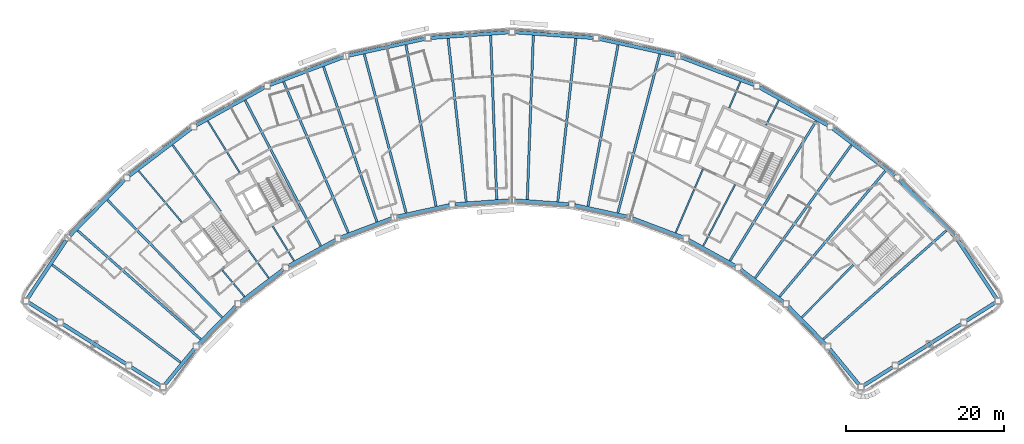
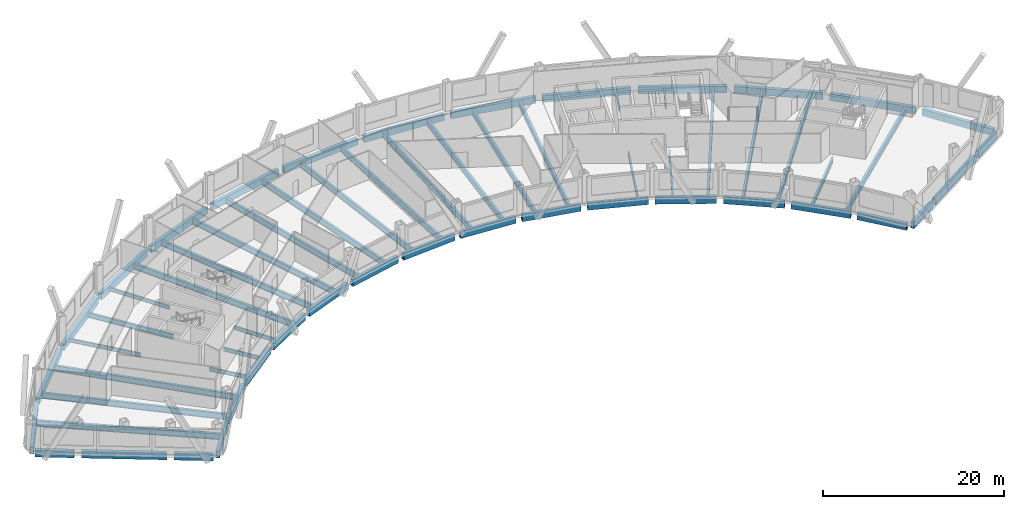
# One storey, part 3 of 12: 63 beams.
"""IFC4 building model written with IfcOpenShell, lengths in metres."""

from ifc_helpers import new_model, si_unit, direction, frame, origin, origin_2d, place, context, subcontext, project, spatial, hollow_rectangle, i_section, extrude, material, material_profile, profile_set, type_object, element, save


model = new_model("IFC4")

# Units and contexts
model_context = context("Model", 3, precision=1e-05, world=origin(), true_north=direction((0.0, 1.0)))
body_context = subcontext(model_context, "Body", "Model", "MODEL_VIEW")
ifc_project = project(units=[si_unit("LENGTHUNIT", "METRE"), si_unit("AREAUNIT", "SQUARE_METRE"), si_unit("VOLUMEUNIT", "CUBIC_METRE"), si_unit("PLANEANGLEUNIT", "RADIAN"), si_unit("MASSUNIT", "GRAM", prefix="KILO")], contexts=[model_context])

# Site, building, storey
site_placement = place(None, origin())
site = spatial("IfcSite", under=ifc_project, at=site_placement, CompositionType="ELEMENT")
building_placement = place(site_placement, origin())
building = spatial("IfcBuilding", under=site, at=building_placement, Name="Tuul Gate Civic Tower", CompositionType="ELEMENT")
storey_placement = place(building_placement, frame((0.0, 0.0, 336.5)))
storey = spatial("IfcBuildingStorey", under=building, at=storey_placement, Name="Level 76", CompositionType="ELEMENT", Elevation=336.5)

# Beams
ifc_material_1 = material(Name="Steel S355", Category="steel")
ifc_material_profile_1 = material_profile(ifc_material_1, i_section(OverallWidth=0.199951171875, OverallDepth=0.5, WebThickness=0.010009765625, FlangeThickness=0.01611328125, at=origin_2d()), Name="PG500x200x10x16")
ifc_profile_set_1 = profile_set([ifc_material_profile_1], Name="Steel S355")
beam_type_1 = type_object("IfcBeamType", Name="STR-FLOOR BEAM-PG500x200x10x16", PredefinedType="BEAM", material=ifc_profile_set_1)
beam_1_placement = place(storey_placement, frame((26.463134765625, -13.32080078125, -0.550048828125), z_axis=(0.460782795667, 0.887512938056, 0.0), x_axis=(-0.887512938056, 0.460782795667, 0.0)))
element("IfcBeam", 1, at=beam_1_placement, inside=storey, type_object=beam_type_1, Name="Floor beam", PredefinedType="BEAM", context=body_context, shape_type="SweptSolid", body=[
    extrude(i_section(OverallWidth=0.199951171875, OverallDepth=0.5, WebThickness=0.010009765625, FlangeThickness=0.01611328125, at=origin_2d()), origin(), (0.0, 0.0, 1.0), 8.768310546875),
])
beam_2_placement = place(storey_placement, frame((34.423583984375, 2.01220703125, -0.550048828125), z_axis=(0.460793282306, 0.887507493479, 0.0), x_axis=(-0.887507493479, 0.460793282306, 0.0)))
element("IfcBeam", 2, at=beam_2_placement, inside=storey, type_object=beam_type_1, Name="Floor beam", PredefinedType="BEAM", context=body_context, shape_type="SweptSolid", body=[
    extrude(i_section(OverallWidth=0.199951171875, OverallDepth=0.5, WebThickness=0.010009765625, FlangeThickness=0.01611328125, at=origin_2d()), origin(), (0.0, 0.0, 1.0), 3.53173828125),
])
beam_3_placement = place(storey_placement, frame((22.968505859375, -11.633056640625, -0.550048828125), z_axis=(0.394179708817, 0.91903338196, 0.0), x_axis=(-0.91903338196, 0.394179708817, 0.0)))
element("IfcBeam", 3, at=beam_3_placement, inside=storey, type_object=beam_type_1, Name="Floor beam", PredefinedType="BEAM", context=body_context, shape_type="SweptSolid", body=[
    extrude(i_section(OverallWidth=0.199951171875, OverallDepth=0.5, WebThickness=0.010009765625, FlangeThickness=0.01611328125, at=origin_2d()), origin(), (0.0, 0.0, 1.0), 8.7119140625),
])
beam_4_placement = place(storey_placement, frame((29.7548828125, 4.189208984375, -0.550048828125), z_axis=(0.394262656624, 0.918997800646, 0.0), x_axis=(-0.918997800646, 0.394262656624, 0.0)))
element("IfcBeam", 4, at=beam_4_placement, inside=storey, type_object=beam_type_1, Name="Floor beam", PredefinedType="BEAM", context=body_context, shape_type="SweptSolid", body=[
    extrude(i_section(OverallWidth=0.199951171875, OverallDepth=0.5, WebThickness=0.010009765625, FlangeThickness=0.01611328125, at=origin_2d()), origin(), (0.0, 0.0, 1.0), 3.60400390625),
])
beam_5_placement = place(storey_placement, frame((-25.47412109375, -15.2021484375, -0.550048828125), z_axis=(-0.524854989159, 0.851191659002, 0.0), x_axis=(-0.851191659002, -0.524854989159, 0.0)))
element("IfcBeam", 5, at=beam_5_placement, inside=storey, type_object=beam_type_1, Name="Floor beam", PredefinedType="BEAM", context=body_context, shape_type="SweptSolid", body=[
    extrude(i_section(OverallWidth=0.199951171875, OverallDepth=0.5, WebThickness=0.010009765625, FlangeThickness=0.01611328125, at=origin_2d()), origin(), (0.0, 0.0, 1.0), 5.1591796875),
])
beam_6_placement = place(storey_placement, frame((-32.385009765625, -3.993896484375, -0.550048828125), z_axis=(-0.524857120658, 0.851190344691, 0.0), x_axis=(-0.851190344691, -0.524857120658, 0.0)))
element("IfcBeam", 6, at=beam_6_placement, inside=storey, type_object=beam_type_1, Name="Floor beam", PredefinedType="BEAM", context=body_context, shape_type="SweptSolid", body=[
    extrude(i_section(OverallWidth=0.199951171875, OverallDepth=0.5, WebThickness=0.010009765625, FlangeThickness=0.01611328125, at=origin_2d()), origin(), (0.0, 0.0, 1.0), 7.654052734375),
])
beam_7_placement = place(storey_placement, frame((-28.677734375, -17.393310546875, -0.550048828125), z_axis=(-0.586074177431, 0.81025740265, 0.0), x_axis=(-0.81025740265, -0.586074177431, 0.0)))
element("IfcBeam", 7, at=beam_7_placement, inside=storey, type_object=beam_type_1, Name="Floor beam", PredefinedType="BEAM", context=body_context, shape_type="SweptSolid", body=[
    extrude(i_section(OverallWidth=0.199951171875, OverallDepth=0.5, WebThickness=0.010009765625, FlangeThickness=0.01611328125, at=origin_2d()), origin(), (0.0, 0.0, 1.0), 4.33642578125),
])
beam_8_placement = place(storey_placement, frame((-31.765869140625, -19.74462890625, -0.550048828125), z_axis=(-0.64417038831, 0.764882024122, 0.0), x_axis=(-0.764882024122, -0.64417038831, 0.0)))
element("IfcBeam", 8, at=beam_8_placement, inside=storey, type_object=beam_type_1, Name="Floor beam", PredefinedType="BEAM", context=body_context, shape_type="SweptSolid", body=[
    extrude(i_section(OverallWidth=0.199951171875, OverallDepth=0.5, WebThickness=0.010009765625, FlangeThickness=0.01611328125, at=origin_2d()), origin(), (0.0, 0.0, 1.0), 4.34033203125),
])
beam_9_placement = place(storey_placement, frame((-39.720703125, -10.298095703125, -0.550048828125), z_axis=(-0.644145503575, 0.764902980923, 0.0), x_axis=(-0.764902980923, -0.644145503575, 0.0)))
element("IfcBeam", 9, at=beam_9_placement, inside=storey, type_object=beam_type_1, Name="Floor beam", PredefinedType="BEAM", context=body_context, shape_type="SweptSolid", body=[
    extrude(i_section(OverallWidth=0.199951171875, OverallDepth=0.5, WebThickness=0.010009765625, FlangeThickness=0.01611328125, at=origin_2d()), origin(), (0.0, 0.0, 1.0), 8.47509765625),
])
ifc_material_2 = material(Name="Steel S355", Category="steel")
ifc_material_profile_2 = material_profile(ifc_material_2, i_section(OverallWidth=0.25, OverallDepth=0.64990234375, WebThickness=0.011962890625, FlangeThickness=0.02001953125, at=origin_2d()), Name="PG650x250x12x20")
ifc_profile_set_2 = profile_set([ifc_material_profile_2], Name="Steel S355")
beam_type_2 = type_object("IfcBeamType", Name="STR-FLOOR BEAM-PG650x250x12x20", PredefinedType="BEAM", material=ifc_profile_set_2)
beam_10_placement = place(storey_placement, frame((38.990234375, -22.390380859375, -0.625), z_axis=(0.698674470128, 0.715439714296, 0.0), x_axis=(-0.715439714296, 0.698674470128, 0.0)))
element("IfcBeam", 10, at=beam_10_placement, inside=storey, type_object=beam_type_2, Name="Floor beam", PredefinedType="BEAM", context=body_context, shape_type="SweptSolid", body=[
    extrude(i_section(OverallWidth=0.25, OverallDepth=0.64990234375, WebThickness=0.011962890625, FlangeThickness=0.02001953125, at=origin_2d()), origin(), (0.0, 0.0, 1.0), 9.290771484375),
])
beam_11_placement = place(storey_placement, frame((-34.799560546875, -8.9296875, -0.625), z_axis=(-0.586091808988, 0.810244649126, 0.0), x_axis=(-0.810244649126, -0.586091808988, 0.0)))
element("IfcBeam", 11, at=beam_11_placement, inside=storey, type_object=beam_type_2, Name="Floor beam", PredefinedType="BEAM", context=body_context, shape_type="SweptSolid", body=[
    extrude(i_section(OverallWidth=0.25, OverallDepth=0.64990234375, WebThickness=0.011962890625, FlangeThickness=0.02001953125, at=origin_2d()), origin(), (0.0, 0.0, 1.0), 10.360107421875),
])
ifc_material_3 = material(Name="Steel S355", Category="steel")
ifc_material_profile_3 = material_profile(ifc_material_3, i_section(OverallWidth=0.300048828125, OverallDepth=0.800048828125, WebThickness=0.013916015625, FlangeThickness=0.02490234375, at=origin_2d()), Name="PG800x300x14x25")
ifc_profile_set_3 = profile_set([ifc_material_profile_3], Name="Steel S355")
beam_type_3 = type_object("IfcBeamType", Name="STR-FLOOR BEAM-PG800x300x14x25", PredefinedType="BEAM", material=ifc_profile_set_3)
beam_12_placement = place(storey_placement, frame((41.707275390625, -25.16259765625, -0.699951171875), z_axis=(0.749453243269, 0.662057275584, 0.0), x_axis=(-0.662057275584, 0.749453243269, 0.0)))
element("IfcBeam", 12, at=beam_12_placement, inside=storey, type_object=beam_type_3, Name="Floor beam", PredefinedType="BEAM", context=body_context, shape_type="SweptSolid", body=[
    extrude(i_section(OverallWidth=0.300048828125, OverallDepth=0.800048828125, WebThickness=0.013916015625, FlangeThickness=0.02490234375, at=origin_2d()), origin(), (0.0, 0.0, 1.0), 20.828369140625),
])
beam_13_placement = place(storey_placement, frame((36.14990234375, -19.74462890625, -0.699951171875), z_axis=(0.644135745783, 0.764911198117, 0.0), x_axis=(-0.764911198117, 0.644135745783, 0.0)))
element("IfcBeam", 13, at=beam_13_placement, inside=storey, type_object=beam_type_3, Name="Floor beam", PredefinedType="BEAM", context=body_context, shape_type="SweptSolid", body=[
    extrude(i_section(OverallWidth=0.300048828125, OverallDepth=0.800048828125, WebThickness=0.013916015625, FlangeThickness=0.02490234375, at=origin_2d()), origin(), (0.0, 0.0, 1.0), 20.824951171875),
])
beam_14_placement = place(storey_placement, frame((33.061767578125, -17.393310546875, -0.699951171875), z_axis=(0.586073074744, 0.810258200242, 0.0), x_axis=(-0.810258200242, 0.586073074744, 0.0)))
element("IfcBeam", 14, at=beam_14_placement, inside=storey, type_object=beam_type_3, Name="Floor beam", PredefinedType="BEAM", context=body_context, shape_type="SweptSolid", body=[
    extrude(i_section(OverallWidth=0.300048828125, OverallDepth=0.800048828125, WebThickness=0.013916015625, FlangeThickness=0.02490234375, at=origin_2d()), origin(), (0.0, 0.0, 1.0), 20.8056640625),
])
beam_15_placement = place(storey_placement, frame((29.858154296875, -15.2021484375, -0.699951171875), z_axis=(0.524846935925, 0.85119662467, 0.0), x_axis=(-0.85119662467, 0.524846935925, 0.0)))
element("IfcBeam", 15, at=beam_15_placement, inside=storey, type_object=beam_type_3, Name="Floor beam", PredefinedType="BEAM", context=body_context, shape_type="SweptSolid", body=[
    extrude(i_section(OverallWidth=0.300048828125, OverallDepth=0.800048828125, WebThickness=0.013916015625, FlangeThickness=0.02490234375, at=origin_2d()), origin(), (0.0, 0.0, 1.0), 20.82177734375),
])
beam_16_placement = place(storey_placement, frame((15.630615234375, -9.11328125, -0.699951171875), z_axis=(0.255002430405, 0.966940412067, 0.0), x_axis=(-0.966940412067, 0.255002430405, 0.0)))
element("IfcBeam", 16, at=beam_16_placement, inside=storey, type_object=beam_type_3, Name="Floor beam", PredefinedType="BEAM", context=body_context, shape_type="SweptSolid", body=[
    extrude(i_section(OverallWidth=0.300048828125, OverallDepth=0.800048828125, WebThickness=0.013916015625, FlangeThickness=0.02490234375, at=origin_2d()), origin(), (0.0, 0.0, 1.0), 20.81689453125),
])
beam_17_placement = place(storey_placement, frame((11.84033203125, -8.2783203125, -0.699951171875), z_axis=(0.183149454547, 0.983085081414, 0.0), x_axis=(-0.983085081414, 0.183149454547, 0.0)))
element("IfcBeam", 17, at=beam_17_placement, inside=storey, type_object=beam_type_3, Name="Floor beam", PredefinedType="BEAM", context=body_context, shape_type="SweptSolid", body=[
    extrude(i_section(OverallWidth=0.300048828125, OverallDepth=0.800048828125, WebThickness=0.013916015625, FlangeThickness=0.02490234375, at=origin_2d()), origin(), (0.0, 0.0, 1.0), 20.81103515625),
])
beam_18_placement = place(storey_placement, frame((8.003173828125, -7.69873046875, -0.699951171875), z_axis=(0.110286058964, 0.993899886909, 0.0), x_axis=(-0.993899886909, 0.110286058964, 0.0)))
element("IfcBeam", 18, at=beam_18_placement, inside=storey, type_object=beam_type_3, Name="Floor beam", PredefinedType="BEAM", context=body_context, shape_type="SweptSolid", body=[
    extrude(i_section(OverallWidth=0.300048828125, OverallDepth=0.800048828125, WebThickness=0.013916015625, FlangeThickness=0.02490234375, at=origin_2d()), origin(), (0.0, 0.0, 1.0), 20.8154296875),
])
for number, where, z_axis, x_axis, name in (
    (19, (4.13232421875, -7.41796875, -0.699951171875), (0.036832478792, 0.999321454041, 0.0), (-0.999321454041, 0.036832478792, 0.0), "Floor beam"),
    (20, (0.251708984375, -7.41796875, -0.699951171875), (-0.036832478792, 0.999321454041, 0.0), (-0.999321454041, -0.036832478792, 0.0), "Floor beam"),
):
    element("IfcBeam", number, at=place(storey_placement, frame(where, z_axis=z_axis, x_axis=x_axis)), inside=storey, type_object=beam_type_3, Name=name, PredefinedType="BEAM", context=body_context, shape_type="SweptSolid", body=[
        extrude(i_section(OverallWidth=0.300048828125, OverallDepth=0.800048828125, WebThickness=0.013916015625, FlangeThickness=0.02490234375, at=origin_2d()), origin(), (0.0, 0.0, 1.0), 20.813232421875),
    ])
beam_19_placement = place(storey_placement, frame((-3.619140625, -7.69873046875, -0.699951171875), z_axis=(-0.110286058964, 0.993899886909, 0.0), x_axis=(-0.993899886909, -0.110286058964, 0.0)))
element("IfcBeam", 21, at=beam_19_placement, inside=storey, type_object=beam_type_3, Name="Floor beam", PredefinedType="BEAM", context=body_context, shape_type="SweptSolid", body=[
    extrude(i_section(OverallWidth=0.300048828125, OverallDepth=0.800048828125, WebThickness=0.013916015625, FlangeThickness=0.02490234375, at=origin_2d()), origin(), (0.0, 0.0, 1.0), 20.8154296875),
])
beam_20_placement = place(storey_placement, frame((-7.45654296875, -8.2783203125, -0.699951171875), z_axis=(-0.183138116697, 0.983087193596, 0.0), x_axis=(-0.983087193596, -0.183138116697, 0.0)))
element("IfcBeam", 22, at=beam_20_placement, inside=storey, type_object=beam_type_3, Name="Floor beam", PredefinedType="BEAM", context=body_context, shape_type="SweptSolid", body=[
    extrude(i_section(OverallWidth=0.300048828125, OverallDepth=0.800048828125, WebThickness=0.013916015625, FlangeThickness=0.02490234375, at=origin_2d()), origin(), (0.0, 0.0, 1.0), 20.81103515625),
])
beam_21_placement = place(storey_placement, frame((-11.24658203125, -9.11328125, -0.699951171875), z_axis=(-0.255002430405, 0.966940412067, 0.0), x_axis=(-0.966940412067, -0.255002430405, 0.0)))
element("IfcBeam", 23, at=beam_21_placement, inside=storey, type_object=beam_type_3, Name="Floor beam", PredefinedType="BEAM", context=body_context, shape_type="SweptSolid", body=[
    extrude(i_section(OverallWidth=0.300048828125, OverallDepth=0.800048828125, WebThickness=0.013916015625, FlangeThickness=0.02490234375, at=origin_2d()), origin(), (0.0, 0.0, 1.0), 20.81689453125),
])
beam_22_placement = place(storey_placement, frame((-14.954345703125, -10.259765625, -0.699951171875), z_axis=(-0.325483706592, 0.945547649113, 0.0), x_axis=(-0.945547649113, -0.325483706592, 0.0)))
element("IfcBeam", 24, at=beam_22_placement, inside=storey, type_object=beam_type_3, Name="Floor beam", PredefinedType="BEAM", context=body_context, shape_type="SweptSolid", body=[
    extrude(i_section(OverallWidth=0.300048828125, OverallDepth=0.800048828125, WebThickness=0.013916015625, FlangeThickness=0.02490234375, at=origin_2d()), origin(), (0.0, 0.0, 1.0), 20.808837890625),
])
beam_23_placement = place(storey_placement, frame((-18.58447265625, -11.633056640625, -0.699951171875), z_axis=(-0.39419807985, 0.919025502281, 0.0), x_axis=(-0.919025502281, -0.39419807985, 0.0)))
element("IfcBeam", 25, at=beam_23_placement, inside=storey, type_object=beam_type_3, Name="Floor beam", PredefinedType="BEAM", context=body_context, shape_type="SweptSolid", body=[
    extrude(i_section(OverallWidth=0.300048828125, OverallDepth=0.800048828125, WebThickness=0.013916015625, FlangeThickness=0.02490234375, at=origin_2d()), origin(), (0.0, 0.0, 1.0), 20.820068359375),
])
beam_24_placement = place(storey_placement, frame((-22.079345703125, -13.32080078125, -0.699951171875), z_axis=(-0.46076746296, 0.887520898389, 0.0), x_axis=(-0.887520898389, -0.46076746296, 0.0)))
element("IfcBeam", 26, at=beam_24_placement, inside=storey, type_object=beam_type_3, Name="Floor beam", PredefinedType="BEAM", context=body_context, shape_type="SweptSolid", body=[
    extrude(i_section(OverallWidth=0.300048828125, OverallDepth=0.800048828125, WebThickness=0.013916015625, FlangeThickness=0.02490234375, at=origin_2d()), origin(), (0.0, 0.0, 1.0), 20.80810546875),
])
beam_25_placement = place(storey_placement, frame((-34.606201171875, -22.390380859375, -0.699951171875), z_axis=(-0.698678629993, 0.715435651888, 0.0), x_axis=(-0.715435651888, -0.698678629993, 0.0)))
element("IfcBeam", 27, at=beam_25_placement, inside=storey, type_object=beam_type_3, Name="Floor beam", PredefinedType="BEAM", context=body_context, shape_type="SweptSolid", body=[
    extrude(i_section(OverallWidth=0.300048828125, OverallDepth=0.800048828125, WebThickness=0.013916015625, FlangeThickness=0.02490234375, at=origin_2d()), origin(), (0.0, 0.0, 1.0), 20.80517578125),
])
beam_26_placement = place(storey_placement, frame((-37.3232421875, -25.16259765625, -0.699951171875), z_axis=(-0.749453243269, 0.662057275584, 0.0), x_axis=(-0.662057275584, -0.749453243269, 0.0)))
element("IfcBeam", 28, at=beam_26_placement, inside=storey, type_object=beam_type_3, Name="Floor beam", PredefinedType="BEAM", context=body_context, shape_type="SweptSolid", body=[
    extrude(i_section(OverallWidth=0.300048828125, OverallDepth=0.800048828125, WebThickness=0.013916015625, FlangeThickness=0.02490234375, at=origin_2d()), origin(), (0.0, 0.0, 1.0), 20.828369140625),
])
beam_27_placement = place(storey_placement, frame((-39.8623046875, -28.107421875, -0.699951171875), z_axis=(-0.796145180606, 0.605105653087, 0.0), x_axis=(-0.605105653087, -0.796145180606, 0.0)))
element("IfcBeam", 29, at=beam_27_placement, inside=storey, type_object=beam_type_3, Name="Floor beam", PredefinedType="BEAM", context=body_context, shape_type="SweptSolid", body=[
    extrude(i_section(OverallWidth=0.300048828125, OverallDepth=0.800048828125, WebThickness=0.013916015625, FlangeThickness=0.02490234375, at=origin_2d()), origin(), (0.0, 0.0, 1.0), 20.462646484375),
])
ifc_material_4 = material(Name="Steel S355", Category="steel")
ifc_material_profile_4 = material_profile(ifc_material_4, hollow_rectangle(XDim=0.449951171875, YDim=0.89990234375, WallThickness=0.02490234375, at=origin_2d()), Name="BOX900x450x25")
ifc_profile_set_4 = profile_set([ifc_material_profile_4], Name="Steel S355")
beam_type_4 = type_object("IfcBeamType", Name="STR-SPANDREL BEAM-BOX900x450x25", PredefinedType="BEAM", material=ifc_profile_set_4)
beam_28_placement = place(storey_placement, frame((63.642333984375, -19.96630859375, -0.75), z_axis=(-0.551644580762, 0.834079286708, 0.0), x_axis=(-0.834079286708, -0.551644580762, 0.0)))
element("IfcBeam", 30, at=beam_28_placement, inside=storey, type_object=beam_type_4, Name="Spandrel beam", PredefinedType="BEAM", context=body_context, shape_type="SweptSolid", body=[
    extrude(hollow_rectangle(XDim=0.449951171875, YDim=0.89990234375, WallThickness=0.02490234375, at=origin_2d()), origin(), (0.0, 0.0, 1.0), 8.805908203125),
])
beam_29_placement = place(storey_placement, frame((58.283935546875, -12.00244140625, -0.75), z_axis=(-0.699989605726, 0.714153031132, 0.0), x_axis=(-0.714153031132, -0.699989605726, 0.0)))
element("IfcBeam", 31, at=beam_29_placement, inside=storey, type_object=beam_type_4, Name="Spandrel beam", PredefinedType="BEAM", context=body_context, shape_type="SweptSolid", body=[
    extrude(hollow_rectangle(XDim=0.449951171875, YDim=0.89990234375, WallThickness=0.02490234375, at=origin_2d()), origin(), (0.0, 0.0, 1.0), 9.876953125),
])
beam_30_placement = place(storey_placement, frame((50.771728515625, -4.420654296875, -0.75), z_axis=(-0.795660881085, 0.605742323361, 0.0), x_axis=(-0.605742323361, -0.795660881085, 0.0)))
element("IfcBeam", 32, at=beam_30_placement, inside=storey, type_object=beam_type_4, Name="Spandrel beam", PredefinedType="BEAM", context=body_context, shape_type="SweptSolid", body=[
    extrude(hollow_rectangle(XDim=0.449951171875, YDim=0.89990234375, WallThickness=0.02490234375, at=origin_2d()), origin(), (0.0, 0.0, 1.0), 9.877685546875),
])
beam_31_placement = place(storey_placement, frame((42.244140625, 1.9990234375, -0.75), z_axis=(-0.874589490657, 0.484864128218, 0.0), x_axis=(-0.484864128218, -0.874589490657, 0.0)))
element("IfcBeam", 33, at=beam_31_placement, inside=storey, type_object=beam_type_4, Name="Spandrel beam", PredefinedType="BEAM", context=body_context, shape_type="SweptSolid", body=[
    extrude(hollow_rectangle(XDim=0.449951171875, YDim=0.89990234375, WallThickness=0.02490234375, at=origin_2d()), origin(), (0.0, 0.0, 1.0), 9.877197265625),
])
beam_32_placement = place(storey_placement, frame((32.8818359375, 7.12353515625, -0.75), z_axis=(-0.935381084373, 0.353641381907, 0.0), x_axis=(-0.353641381907, -0.935381084373, 0.0)))
element("IfcBeam", 34, at=beam_32_placement, inside=storey, type_object=beam_type_4, Name="Spandrel beam", PredefinedType="BEAM", context=body_context, shape_type="SweptSolid", body=[
    extrude(hollow_rectangle(XDim=0.449951171875, YDim=0.89990234375, WallThickness=0.02490234375, at=origin_2d()), origin(), (0.0, 0.0, 1.0), 9.876953125),
])
beam_33_placement = place(storey_placement, frame((22.87841796875, 10.843994140625, -0.75), z_axis=(-0.976565880984, 0.215218679716, 0.0), x_axis=(-0.215218679716, -0.976565880984, 0.0)))
element("IfcBeam", 35, at=beam_33_placement, inside=storey, type_object=beam_type_4, Name="Spandrel beam", PredefinedType="BEAM", context=body_context, shape_type="SweptSolid", body=[
    extrude(hollow_rectangle(XDim=0.449951171875, YDim=0.89990234375, WallThickness=0.02490234375, at=origin_2d()), origin(), (0.0, 0.0, 1.0), 9.878173828125),
])
for number, where, z_axis, x_axis, name in (
    (36, (12.442138671875, 13.0849609375, -0.75), (-0.99738285886, 0.07230098791, 0.0), (-0.07230098791, -0.99738285886, 0.0), "Spandrel beam"),
    (37, (1.79296875, 13.799072265625, -0.75), (-0.99738285886, -0.07230098791, 0.0), (0.07230098791, -0.99738285886, 0.0), "Spandrel beam"),
):
    element("IfcBeam", number, at=place(storey_placement, frame(where, z_axis=z_axis, x_axis=x_axis)), inside=storey, type_object=beam_type_4, Name=name, PredefinedType="BEAM", context=body_context, shape_type="SweptSolid", body=[
        extrude(hollow_rectangle(XDim=0.449951171875, YDim=0.89990234375, WallThickness=0.02490234375, at=origin_2d()), origin(), (0.0, 0.0, 1.0), 9.876953125),
    ])
beam_34_placement = place(storey_placement, frame((-8.84765625, 12.969970703125, -0.75), z_axis=(-0.976565880984, -0.215218679716, 0.0), x_axis=(0.215218679716, -0.976565880984, 0.0)))
element("IfcBeam", 38, at=beam_34_placement, inside=storey, type_object=beam_type_4, Name="Spandrel beam", PredefinedType="BEAM", context=body_context, shape_type="SweptSolid", body=[
    extrude(hollow_rectangle(XDim=0.449951171875, YDim=0.89990234375, WallThickness=0.02490234375, at=origin_2d()), origin(), (0.0, 0.0, 1.0), 9.878173828125),
])
for number, where, z_axis, x_axis, name in (
    (39, (-19.259033203125, 10.616455078125, -0.75), (-0.935381084373, -0.353641381907, 0.0), (0.353641381907, -0.935381084373, 0.0), "Spandrel beam"),
    (40, (-29.221923828125, 6.7880859375, -0.75), (-0.874583679484, -0.484874610162, 0.0), (0.484874610162, -0.874583679484, 0.0), "Spandrel beam"),
):
    element("IfcBeam", number, at=place(storey_placement, frame(where, z_axis=z_axis, x_axis=x_axis)), inside=storey, type_object=beam_type_4, Name=name, PredefinedType="BEAM", context=body_context, shape_type="SweptSolid", body=[
        extrude(hollow_rectangle(XDim=0.449951171875, YDim=0.89990234375, WallThickness=0.02490234375, at=origin_2d()), origin(), (0.0, 0.0, 1.0), 9.876953125),
    ])
beam_35_placement = place(storey_placement, frame((-38.5283203125, 1.562744140625, -0.75), z_axis=(-0.795660881085, -0.605742323361, 0.0), x_axis=(0.605742323361, -0.795660881085, 0.0)))
element("IfcBeam", 41, at=beam_35_placement, inside=storey, type_object=beam_type_4, Name="Spandrel beam", PredefinedType="BEAM", context=body_context, shape_type="SweptSolid", body=[
    extrude(hollow_rectangle(XDim=0.449951171875, YDim=0.89990234375, WallThickness=0.02490234375, at=origin_2d()), origin(), (0.0, 0.0, 1.0), 9.877685546875),
])
beam_36_placement = place(storey_placement, frame((-46.986083984375, -4.94873046875, -0.75), z_axis=(-0.699989605726, -0.714153031132, 0.0), x_axis=(0.714153031132, -0.699989605726, 0.0)))
element("IfcBeam", 42, at=beam_36_placement, inside=storey, type_object=beam_type_4, Name="Spandrel beam", PredefinedType="BEAM", context=body_context, shape_type="SweptSolid", body=[
    extrude(hollow_rectangle(XDim=0.449951171875, YDim=0.89990234375, WallThickness=0.02490234375, at=origin_2d()), origin(), (0.0, 0.0, 1.0), 9.876953125),
])
beam_37_placement = place(storey_placement, frame((-54.400634765625, -12.62158203125, -0.75), z_axis=(-0.551644580762, -0.834079286708, 0.0), x_axis=(0.834079286708, -0.551644580762, 0.0)))
element("IfcBeam", 43, at=beam_37_placement, inside=storey, type_object=beam_type_4, Name="Spandrel beam", PredefinedType="BEAM", context=body_context, shape_type="SweptSolid", body=[
    extrude(hollow_rectangle(XDim=0.449951171875, YDim=0.89990234375, WallThickness=0.02490234375, at=origin_2d()), origin(), (0.0, 0.0, 1.0), 8.805908203125),
])
beam_38_placement = place(storey_placement, frame((-59.140625, -20.51318359375, -0.75), z_axis=(0.846211196037, -0.532847643985, 0.0), x_axis=(0.532847643985, 0.846211196037, 0.0)))
element("IfcBeam", 44, at=beam_38_placement, inside=storey, type_object=beam_type_4, Name="Spandrel beam", PredefinedType="BEAM", context=body_context, shape_type="SweptSolid", body=[
    extrude(hollow_rectangle(XDim=0.449951171875, YDim=0.89990234375, WallThickness=0.02490234375, at=origin_2d()), origin(), (0.0, 0.0, 1.0), 4.33251953125),
])
beam_39_placement = place(storey_placement, frame((-54.797607421875, -23.248046875, -0.75), z_axis=(0.84620354352, -0.532859796695, 0.0), x_axis=(0.532859796695, 0.84620354352, 0.0)))
element("IfcBeam", 45, at=beam_39_placement, inside=storey, type_object=beam_type_4, Name="Spandrel beam", PredefinedType="BEAM", context=body_context, shape_type="SweptSolid", body=[
    extrude(hollow_rectangle(XDim=0.449951171875, YDim=0.89990234375, WallThickness=0.02490234375, at=origin_2d()), origin(), (0.0, 0.0, 1.0), 9.463623046875),
])
beam_40_placement = place(storey_placement, frame((-46.112548828125, -28.71728515625, -0.75), z_axis=(0.84613117079, -0.532974710298, 0.0), x_axis=(0.532974710298, 0.84613117079, 0.0)))
element("IfcBeam", 46, at=beam_40_placement, inside=storey, type_object=beam_type_4, Name="Spandrel beam", PredefinedType="BEAM", context=body_context, shape_type="SweptSolid", body=[
    extrude(hollow_rectangle(XDim=0.449951171875, YDim=0.89990234375, WallThickness=0.02490234375, at=origin_2d()), origin(), (0.0, 0.0, 1.0), 4.33154296875),
])
beam_41_placement = place(storey_placement, frame((-41.855224609375, -30.9296875, -0.75), z_axis=(0.634404835744, 0.773000973081, 0.0), x_axis=(-0.773000973081, 0.634404835744, 0.0)))
element("IfcBeam", 47, at=beam_41_placement, inside=storey, type_object=beam_type_4, Name="Spandrel beam", PredefinedType="BEAM", context=body_context, shape_type="SweptSolid", body=[
    extrude(hollow_rectangle(XDim=0.449951171875, YDim=0.89990234375, WallThickness=0.02490234375, at=origin_2d()), origin(), (0.0, 0.0, 1.0), 5.851806640625),
])
beam_42_placement = place(storey_placement, frame((-37.609130859375, -25.811279296875, -0.75), z_axis=(0.699971853877, 0.714170430485, 0.0), x_axis=(-0.714170430485, 0.699971853877, 0.0)))
element("IfcBeam", 48, at=beam_42_placement, inside=storey, type_object=beam_type_4, Name="Spandrel beam", PredefinedType="BEAM", context=body_context, shape_type="SweptSolid", body=[
    extrude(hollow_rectangle(XDim=0.449951171875, YDim=0.89990234375, WallThickness=0.02490234375, at=origin_2d()), origin(), (0.0, 0.0, 1.0), 6.7919921875),
])
for number, where, z_axis, x_axis, name in (
    (49, (-32.2568359375, -20.4326171875, -0.75), (0.795626424775, 0.605787580098, 0.0), (-0.605787580098, 0.795626424775, 0.0), "Spandrel beam"),
    (50, (-26.18505859375, -15.882080078125, -0.75), (0.87464856826, 0.484757549751, 0.0), (-0.484757549751, 0.87464856826, 0.0), "Spandrel beam"),
):
    element("IfcBeam", number, at=place(storey_placement, frame(where, z_axis=z_axis, x_axis=x_axis)), inside=storey, type_object=beam_type_4, Name=name, PredefinedType="BEAM", context=body_context, shape_type="SweptSolid", body=[
        extrude(hollow_rectangle(XDim=0.449951171875, YDim=0.89990234375, WallThickness=0.02490234375, at=origin_2d()), origin(), (0.0, 0.0, 1.0), 6.79150390625),
    ])
beam_43_placement = place(storey_placement, frame((-19.520751953125, -12.25439453125, -0.75), z_axis=(0.935326768609, 0.353785013707, 0.0), x_axis=(-0.353785013707, 0.935326768609, 0.0)))
element("IfcBeam", 51, at=beam_43_placement, inside=storey, type_object=beam_type_4, Name="Spandrel beam", PredefinedType="BEAM", context=body_context, shape_type="SweptSolid", body=[
    extrude(hollow_rectangle(XDim=0.449951171875, YDim=0.89990234375, WallThickness=0.02490234375, at=origin_2d()), origin(), (0.0, 0.0, 1.0), 6.791748046875),
])
beam_44_placement = place(storey_placement, frame((-12.4033203125, -9.6240234375, -0.75), z_axis=(0.976589670026, 0.215110707308, 0.0), x_axis=(-0.215110707308, 0.976589670026, 0.0)))
element("IfcBeam", 52, at=beam_44_placement, inside=storey, type_object=beam_type_4, Name="Spandrel beam", PredefinedType="BEAM", context=body_context, shape_type="SweptSolid", body=[
    extrude(hollow_rectangle(XDim=0.449951171875, YDim=0.89990234375, WallThickness=0.02490234375, at=origin_2d()), origin(), (0.0, 0.0, 1.0), 6.79150390625),
])
for number, where, z_axis, x_axis, name in (
    (53, (-4.98095703125, -8.048095703125, -0.75), (0.997381114382, 0.072325048733, 0.0), (-0.072325048733, 0.997381114382, 0.0), "Spandrel beam"),
    (54, (2.591064453125, -7.556884765625, -0.75), (0.997381114382, -0.072325048733, 0.0), (0.072325048733, 0.997381114382, 0.0), "Spandrel beam"),
    (55, (10.154541015625, -8.1630859375, -0.75), (0.97659133333, -0.215103155869, 0.0), (0.215103155869, 0.97659133333, 0.0), "Spandrel beam"),
    (56, (17.55224609375, -9.8515625, -0.75), (0.935326768609, -0.353785013707, 0.0), (0.353785013707, 0.935326768609, 0.0), "Spandrel beam"),
):
    element("IfcBeam", number, at=place(storey_placement, frame(where, z_axis=z_axis, x_axis=x_axis)), inside=storey, type_object=beam_type_4, Name=name, PredefinedType="BEAM", context=body_context, shape_type="SweptSolid", body=[
        extrude(hollow_rectangle(XDim=0.449951171875, YDim=0.89990234375, WallThickness=0.02490234375, at=origin_2d()), origin(), (0.0, 0.0, 1.0), 6.791748046875),
    ])
for number, where, z_axis, x_axis, name in (
    (57, (24.62890625, -12.58984375, -0.75), (0.87464856826, -0.484757549751, 0.0), (0.484757549751, 0.87464856826, 0.0), "Spandrel beam"),
    (58, (31.2373046875, -16.318359375, -0.75), (0.795626424775, -0.605787580098, 0.0), (0.605787580098, 0.795626424775, 0.0), "Spandrel beam"),
):
    element("IfcBeam", number, at=place(storey_placement, frame(where, z_axis=z_axis, x_axis=x_axis)), inside=storey, type_object=beam_type_4, Name=name, PredefinedType="BEAM", context=body_context, shape_type="SweptSolid", body=[
        extrude(hollow_rectangle(XDim=0.449951171875, YDim=0.89990234375, WallThickness=0.02490234375, at=origin_2d()), origin(), (0.0, 0.0, 1.0), 6.79150390625),
    ])
beam_45_placement = place(storey_placement, frame((37.239013671875, -20.960693359375, -0.75), z_axis=(0.69995351943, -0.71418839996, 0.0), x_axis=(0.71418839996, 0.69995351943, 0.0)))
element("IfcBeam", 59, at=beam_45_placement, inside=storey, type_object=beam_type_4, Name="Spandrel beam", PredefinedType="BEAM", context=body_context, shape_type="SweptSolid", body=[
    extrude(hollow_rectangle(XDim=0.449951171875, YDim=0.89990234375, WallThickness=0.02490234375, at=origin_2d()), origin(), (0.0, 0.0, 1.0), 6.791748046875),
])
beam_46_placement = place(storey_placement, frame((42.52685546875, -26.40625, -0.75), z_axis=(0.634404835744, -0.773000973081, 0.0), x_axis=(0.773000973081, 0.634404835744, 0.0)))
element("IfcBeam", 60, at=beam_46_placement, inside=storey, type_object=beam_type_4, Name="Spandrel beam", PredefinedType="BEAM", context=body_context, shape_type="SweptSolid", body=[
    extrude(hollow_rectangle(XDim=0.449951171875, YDim=0.89990234375, WallThickness=0.02490234375, at=origin_2d()), origin(), (0.0, 0.0, 1.0), 5.851806640625),
])
beam_47_placement = place(storey_placement, frame((46.83154296875, -31.02587890625, -0.75), z_axis=(0.84613117079, 0.532974710298, 0.0), x_axis=(-0.532974710298, 0.84613117079, 0.0)))
element("IfcBeam", 61, at=beam_47_placement, inside=storey, type_object=beam_type_4, Name="Spandrel beam", PredefinedType="BEAM", context=body_context, shape_type="SweptSolid", body=[
    extrude(hollow_rectangle(XDim=0.449951171875, YDim=0.89990234375, WallThickness=0.02490234375, at=origin_2d()), origin(), (0.0, 0.0, 1.0), 4.33154296875),
])
beam_48_placement = place(storey_placement, frame((51.173583984375, -28.290771484375, -0.75), z_axis=(0.84620354352, 0.532859796695, 0.0), x_axis=(-0.532859796695, 0.84620354352, 0.0)))
element("IfcBeam", 62, at=beam_48_placement, inside=storey, type_object=beam_type_4, Name="Spandrel beam", PredefinedType="BEAM", context=body_context, shape_type="SweptSolid", body=[
    extrude(hollow_rectangle(XDim=0.449951171875, YDim=0.89990234375, WallThickness=0.02490234375, at=origin_2d()), origin(), (0.0, 0.0, 1.0), 9.463623046875),
])
beam_49_placement = place(storey_placement, frame((59.8583984375, -22.82177734375, -0.75), z_axis=(0.846195195567, 0.532873053362, 0.0), x_axis=(-0.532873053362, 0.846195195567, 0.0)))
element("IfcBeam", 63, at=beam_49_placement, inside=storey, type_object=beam_type_4, Name="Spandrel beam", PredefinedType="BEAM", context=body_context, shape_type="SweptSolid", body=[
    extrude(hollow_rectangle(XDim=0.449951171875, YDim=0.89990234375, WallThickness=0.02490234375, at=origin_2d()), origin(), (0.0, 0.0, 1.0), 4.332275390625),
])

save(model, "model.ifc")
